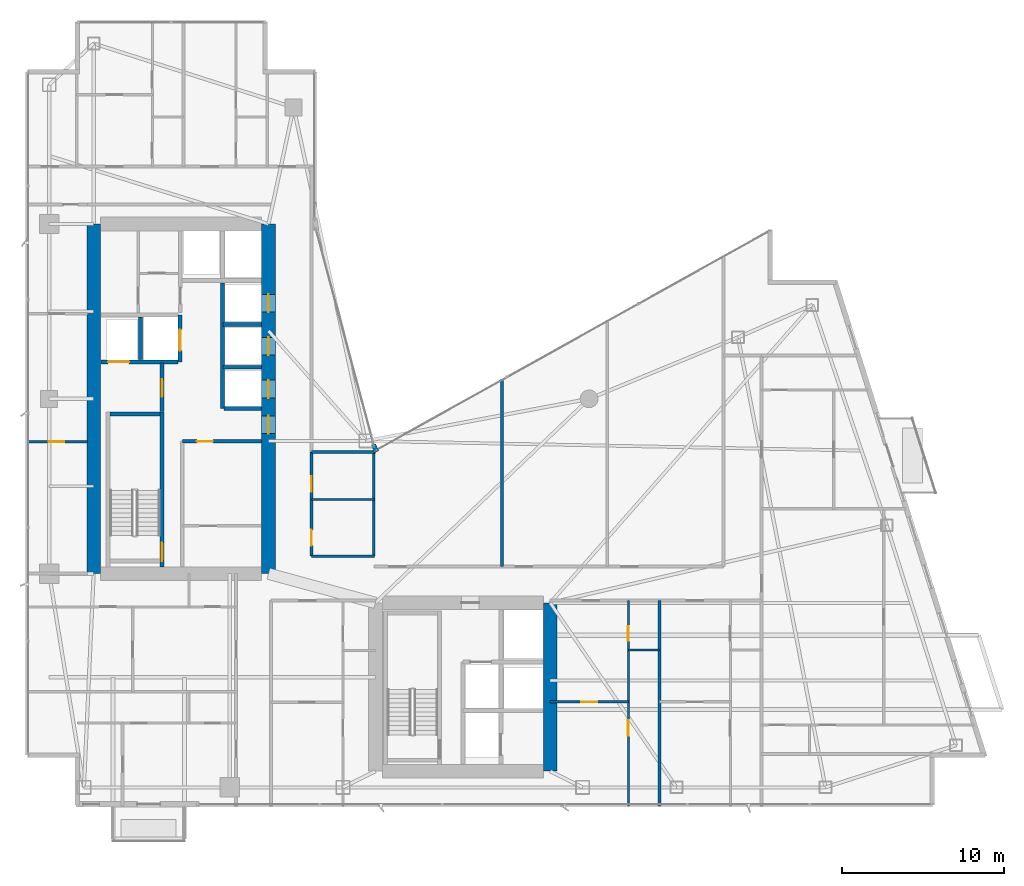
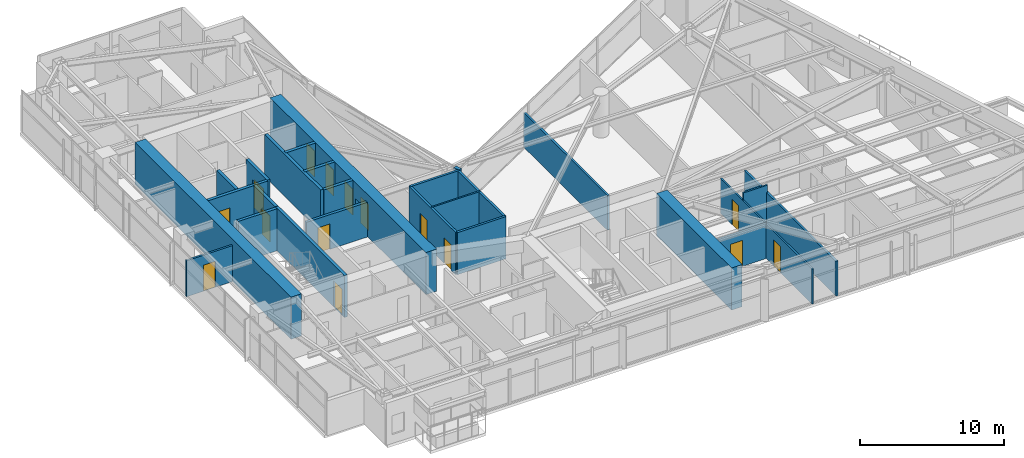
# One storey, part 23 of 29: 26 walls, 15 doors, 15 openings.
"""IFC4 building model written with IfcOpenShell, lengths in metres."""

from ifc_helpers import new_model, si_unit, direction, frame, frame_2d, origin, place, context, subcontext, project, spatial, rectangle, extrude, material, layer, layer_set, type_object, element, fill, save


model = new_model("IFC4")

# Units and contexts
model_context = context("Model", 3, precision=1e-05, world=origin(), true_north=direction((0.0, 1.0)))
body_context = subcontext(model_context, "Body", "Model", "MODEL_VIEW")
ifc_project = project(units=[si_unit("LENGTHUNIT", "METRE"), si_unit("AREAUNIT", "SQUARE_METRE"), si_unit("VOLUMEUNIT", "CUBIC_METRE"), si_unit("PLANEANGLEUNIT", "RADIAN"), si_unit("MASSUNIT", "GRAM", prefix="KILO")], contexts=[model_context])

# Site, building, storey
site_placement = place(None, origin())
site = spatial("IfcSite", under=ifc_project, at=site_placement, CompositionType="ELEMENT")
building_placement = place(site_placement, origin())
building = spatial("IfcBuilding", under=site, at=building_placement, Name="Calvorn Quay Hotel", CompositionType="ELEMENT")
storey_placement = place(building_placement, frame((0.0, 0.0, 163.699951171875)))
storey = spatial("IfcBuildingStorey", under=building, at=storey_placement, Name="L40", CompositionType="ELEMENT", Elevation=163.699951171875)

# Wall
ifc_material_1 = material(Name="Concrete C50", Category="concrete")
ifc_layer_1 = layer(ifc_material_1, 0.85009765625)
ifc_layer_set_1 = layer_set([ifc_layer_1], Name="WL-CORE-850")
wall_type_1 = type_object("IfcWallType", Name="WL-CORE-850", PredefinedType="SHEAR", material=ifc_layer_set_1)
wall_1_placement = place(storey_placement, frame((4.199951171875, 16.800048828125, 0.0), z_axis=(0.0, 0.0, 1.0), x_axis=(0.0, 1.0, 0.0)))
element("IfcWall", 1, at=wall_1_placement, inside=storey, type_object=wall_type_1, Name="West Core Shear Wall W (L40)", PredefinedType="SHEAR", context=body_context, shape_type="SweptSolid", body=[
    extrude(rectangle(XDim=21.599853515625, YDim=0.85009765625, at=frame_2d((10.7998046875, 0.0))), origin(), (0.0, 0.0, 1.0), 3.56005859375),
])

# Wall, openings, doors
wall_2_placement = place(storey_placement, frame((15.0, 16.800048828125, 0.0), z_axis=(0.0, 0.0, 1.0), x_axis=(0.0, 1.0, 0.0)))
wall_2 = element("IfcWall", 2, at=wall_2_placement, inside=storey, type_object=wall_type_1, Name="West Core Shear Wall E (L40)", PredefinedType="SHEAR", context=body_context, shape_type="SweptSolid", body=[
    extrude(rectangle(XDim=21.599853515625, YDim=0.85009765625, at=frame_2d((10.7998046875, 0.0))), origin(), (0.0, 0.0, 1.0), 3.56005859375),
])
opening_1_placement = place(wall_2_placement, frame((8.64990234375, 0.0, 0.0)))
opening_1 = element("IfcOpeningElement", 3, at=opening_1_placement, cuts=wall_2, Name="Opening D-L40-CW1", PredefinedType="OPENING", context=body_context, shape_type="SweptSolid", body=[
    extrude(rectangle(XDim=1.10009765625, YDim=2.199951171875, at=frame_2d((0.550048828125, 1.10009765625))), frame((0.0, 0.43505859375, 0.0), z_axis=(0.0, -1.0, 0.0), x_axis=(1.0, 0.0, 0.0)), (0.0, 0.0, 1.0), 0.8701171875),
])
opening_2_placement = place(wall_2_placement, frame((10.85009765625, 0.0, 0.0)))
opening_2 = element("IfcOpeningElement", 4, at=opening_2_placement, cuts=wall_2, Name="Opening LD-L40-M1", PredefinedType="OPENING", context=body_context, shape_type="SweptSolid", body=[
    extrude(rectangle(XDim=1.10009765625, YDim=2.199951171875, at=frame_2d((0.550048828125, 1.10009765625))), frame((0.0, 0.43505859375, 0.0), z_axis=(0.0, -1.0, 0.0), x_axis=(1.0, 0.0, 0.0)), (0.0, 0.0, 1.0), 0.8701171875),
])
opening_3_placement = place(wall_2_placement, frame((13.5, 0.0, 0.0)))
opening_3 = element("IfcOpeningElement", 5, at=opening_3_placement, cuts=wall_2, Name="Opening LD-L40-M2", PredefinedType="OPENING", context=body_context, shape_type="SweptSolid", body=[
    extrude(rectangle(XDim=1.10009765625, YDim=2.199951171875, at=frame_2d((0.550048828125, 1.10009765625))), frame((0.0, 0.43505859375, 0.0), z_axis=(0.0, -1.0, 0.0), x_axis=(1.0, 0.0, 0.0)), (0.0, 0.0, 1.0), 0.8701171875),
])
opening_4_placement = place(wall_2_placement, frame((16.14990234375, 0.0, 0.0)))
opening_4 = element("IfcOpeningElement", 6, at=opening_4_placement, cuts=wall_2, Name="Opening LD-L40-M3", PredefinedType="OPENING", context=body_context, shape_type="SweptSolid", body=[
    extrude(rectangle(XDim=1.10009765625, YDim=2.199951171875, at=frame_2d((0.550048828125, 1.10009765625))), frame((0.0, 0.43505859375, 0.0), z_axis=(0.0, -1.0, 0.0), x_axis=(1.0, 0.0, 0.0)), (0.0, 0.0, 1.0), 0.8701171875),
])
ifc_material_2 = material(Name="Smoke-Sealed Steel Class A Fire Door", Category="steel")
door_type_1 = type_object("IfcDoorType", Name="DR-FFLOBBY-1100", OperationType="NOTDEFINED", PredefinedType="DOOR", material=ifc_material_2)
door_1_placement = place(opening_1_placement, origin())
door_1 = element("IfcDoor", 7, at=door_1_placement, inside=storey, type_object=door_type_1, Name="West Core Vestibule Fire Door (L40)", OperationType="SINGLE_SWING_LEFT", OverallHeight=2.199951171875, OverallWidth=1.10009765625, PredefinedType="DOOR", context=body_context, shape_type="SweptSolid", body=[
    extrude(rectangle(XDim=1.10009765625, YDim=2.199951171875, at=frame_2d((0.550048828125, 1.10009765625))), frame((0.0, 0.02490234375, 0.0), z_axis=(0.0, -1.0, 0.0), x_axis=(1.0, 0.0, 0.0)), (0.0, 0.0, 1.0), 0.050048828125),
])
fill(opening_1, door_1)
ifc_material_3 = material(Name="Brushed Stainless Steel Sliding Lift Landing Door", Category="steel")
door_type_2 = type_object("IfcDoorType", Name="DR-LIFT-PASS-1100", OperationType="NOTDEFINED", PredefinedType="DOOR", material=ifc_material_3)
door_2_placement = place(opening_2_placement, origin())
door_2 = element("IfcDoor", 8, at=door_2_placement, inside=storey, type_object=door_type_2, Name="Mid-Rise Lift PL-M1 Landing Door (L40)", OperationType="DOUBLE_DOOR_SLIDING", OverallHeight=2.199951171875, OverallWidth=1.10009765625, PredefinedType="DOOR", context=body_context, shape_type="SweptSolid", body=[
    extrude(rectangle(XDim=1.10009765625, YDim=2.199951171875, at=frame_2d((0.550048828125, 1.10009765625))), frame((0.0, 0.02490234375, 0.0), z_axis=(0.0, -1.0, 0.0), x_axis=(1.0, 0.0, 0.0)), (0.0, 0.0, 1.0), 0.050048828125),
])
fill(opening_2, door_2)
door_3_placement = place(opening_3_placement, origin())
door_3 = element("IfcDoor", 9, at=door_3_placement, inside=storey, type_object=door_type_2, Name="Mid-Rise Lift PL-M2 Landing Door (L40)", OperationType="DOUBLE_DOOR_SLIDING", OverallHeight=2.199951171875, OverallWidth=1.10009765625, PredefinedType="DOOR", context=body_context, shape_type="SweptSolid", body=[
    extrude(rectangle(XDim=1.10009765625, YDim=2.199951171875, at=frame_2d((0.550048828125, 1.10009765625))), frame((0.0, 0.02490234375, 0.0), z_axis=(0.0, -1.0, 0.0), x_axis=(1.0, 0.0, 0.0)), (0.0, 0.0, 1.0), 0.050048828125),
])
fill(opening_3, door_3)
door_4_placement = place(opening_4_placement, origin())
door_4 = element("IfcDoor", 10, at=door_4_placement, inside=storey, type_object=door_type_2, Name="Mid-Rise Lift PL-M3 Landing Door (L40)", OperationType="DOUBLE_DOOR_SLIDING", OverallHeight=2.199951171875, OverallWidth=1.10009765625, PredefinedType="DOOR", context=body_context, shape_type="SweptSolid", body=[
    extrude(rectangle(XDim=1.10009765625, YDim=2.199951171875, at=frame_2d((0.550048828125, 1.10009765625))), frame((0.0, 0.02490234375, 0.0), z_axis=(0.0, -1.0, 0.0), x_axis=(1.0, 0.0, 0.0)), (0.0, 0.0, 1.0), 0.050048828125),
])
fill(opening_4, door_4)

# Walls
wall_3_placement = place(storey_placement, frame((32.39990234375, 4.60009765625, 0.0), z_axis=(0.0, 0.0, 1.0), x_axis=(0.0, 1.0, 0.0)))
element("IfcWall", 11, at=wall_3_placement, inside=storey, type_object=wall_type_1, Name="East Core Shear Wall E (L40)", PredefinedType="SHEAR", context=body_context, shape_type="SweptSolid", body=[
    extrude(rectangle(XDim=10.39990234375, YDim=0.85009765625, at=frame_2d((5.199951171875, 0.0))), origin(), (0.0, 0.0, 1.0), 3.56005859375),
])
ifc_material_4 = material(Name="Acoustic Fireboard Steel-Stud Partition", Category="steel")
ifc_layer_2 = layer(ifc_material_4, 0.179931640625)
ifc_layer_set_2 = layer_set([ifc_layer_2], Name="WL-CORR-FIRE-180")
wall_type_2 = type_object("IfcWallType", Name="WL-CORR-FIRE-180", PredefinedType="PARTITIONING", material=ifc_layer_set_2)
wall_4_placement = place(storey_placement, frame((17.64990234375, 17.8798828125, 0.0), z_axis=(0.0, 0.0, 1.0), x_axis=(1.0, 0.0, 0.0)))
element("IfcWall", 12, at=wall_4_placement, inside=storey, type_object=wall_type_2, Name="Partition Wall L40-WL-HK-S", PredefinedType="PARTITIONING", context=body_context, shape_type="SweptSolid", body=[
    extrude(rectangle(XDim=3.900146484375, YDim=0.179931640625, at=frame_2d((1.9501953125, 0.0))), origin(), (0.0, 0.0, 1.0), 3.56005859375),
])
wall_5_placement = place(storey_placement, frame((17.64990234375, 24.320068359375, 0.0), z_axis=(0.0, 0.0, 1.0), x_axis=(1.0, 0.0, 0.0)))
element("IfcWall", 13, at=wall_5_placement, inside=storey, type_object=wall_type_2, Name="Partition Wall L40-WL-HK-N", PredefinedType="PARTITIONING", context=body_context, shape_type="SweptSolid", body=[
    extrude(rectangle(XDim=3.9501953125, YDim=0.179931640625, at=frame_2d((1.97509765625, 0.0))), origin(), (0.0, 0.0, 1.0), 3.56005859375),
])
wall_6_placement = place(storey_placement, frame((21.5, 17.8798828125, 0.0), z_axis=(0.0, 0.0, 1.0), x_axis=(0.0, 1.0, 0.0)))
element("IfcWall", 14, at=wall_6_placement, inside=storey, type_object=wall_type_2, Name="Partition Wall L40-WL-HK-E", PredefinedType="PARTITIONING", context=body_context, shape_type="SweptSolid", body=[
    extrude(rectangle(XDim=6.440185546875, YDim=0.179931640625, at=frame_2d((3.22021484375, 0.0))), origin(), (0.0, 0.0, 1.0), 3.56005859375),
])

# Wall, openings, doors
wall_7_placement = place(storey_placement, frame((17.64990234375, 17.8798828125, 0.0), z_axis=(0.0, 0.0, 1.0), x_axis=(0.0, 1.0, 0.0)))
wall_7 = element("IfcWall", 15, at=wall_7_placement, inside=storey, type_object=wall_type_2, Name="Partition Wall L40-WL-HK-W", PredefinedType="PARTITIONING", context=body_context, shape_type="SweptSolid", body=[
    extrude(rectangle(XDim=6.440185546875, YDim=0.179931640625, at=frame_2d((3.22021484375, 0.0))), origin(), (0.0, 0.0, 1.0), 3.56005859375),
])
opening_5_placement = place(wall_7_placement, frame((0.64990234375, 0.0, 0.0)))
opening_5 = element("IfcOpeningElement", 16, at=opening_5_placement, cuts=wall_7, Name="Opening D-L40-HK", PredefinedType="OPENING", context=body_context, shape_type="SweptSolid", body=[
    extrude(rectangle(XDim=0.97998046875, YDim=2.14990234375, at=frame_2d((0.489990234375, 1.074951171875))), frame((0.0, 0.099853515625, 0.0), z_axis=(0.0, -1.0, 0.0), x_axis=(1.0, 0.0, 0.0)), (0.0, 0.0, 1.0), 0.199951171875),
])
opening_6_placement = place(wall_7_placement, frame((3.969970703125, 0.0, 0.0)))
opening_6 = element("IfcOpeningElement", 17, at=opening_6_placement, cuts=wall_7, Name="Opening D-L40-NCP", PredefinedType="OPENING", context=body_context, shape_type="SweptSolid", body=[
    extrude(rectangle(XDim=0.9599609375, YDim=2.199951171875, at=frame_2d((0.47998046875, 1.10009765625))), frame((0.0, 0.099853515625, 0.0), z_axis=(0.0, -1.0, 0.0), x_axis=(1.0, 0.0, 0.0)), (0.0, 0.0, 1.0), 0.199951171875),
])
ifc_material_5 = material(Name="Painted Steel Housekeeping/Riser Fire Door", Category="steel")
door_type_3 = type_object("IfcDoorType", Name="DR-SERVICE-980", OperationType="NOTDEFINED", PredefinedType="DOOR", material=ifc_material_5)
door_5_placement = place(opening_5_placement, origin())
door_5 = element("IfcDoor", 18, at=door_5_placement, inside=storey, type_object=door_type_3, Name="Floor Housekeeping Door (L40)", OperationType="SINGLE_SWING_LEFT", OverallHeight=2.14990234375, OverallWidth=0.97998046875, PredefinedType="DOOR", context=body_context, shape_type="SweptSolid", body=[
    extrude(rectangle(XDim=0.97998046875, YDim=2.14990234375, at=frame_2d((0.489990234375, 1.074951171875))), frame((0.0, 0.02490234375, 0.0), z_axis=(0.0, -1.0, 0.0), x_axis=(1.0, 0.0, 0.0)), (0.0, 0.0, 1.0), 0.050048828125),
])
fill(opening_5, door_5)
ifc_material_6 = material(Name="Solid Timber Internal Suite Door", Category="wood")
door_type_4 = type_object("IfcDoorType", Name="DR-SUITE-INT-960", OperationType="NOTDEFINED", PredefinedType="DOOR", material=ifc_material_6)
door_6_placement = place(opening_6_placement, origin())
door_6 = element("IfcDoor", 19, at=door_6_placement, inside=storey, type_object=door_type_4, Name="Reading Alcove Door (L40)", OperationType="SINGLE_SWING_RIGHT", OverallHeight=2.199951171875, OverallWidth=0.9599609375, PredefinedType="DOOR", context=body_context, shape_type="SweptSolid", body=[
    extrude(rectangle(XDim=0.9599609375, YDim=2.199951171875, at=frame_2d((0.47998046875, 1.10009765625))), frame((0.0, 0.02490234375, 0.0), z_axis=(0.0, -1.0, 0.0), x_axis=(1.0, 0.0, 0.0)), (0.0, 0.0, 1.0), 0.050048828125),
])
fill(opening_6, door_6)

# Walls
ifc_material_7 = material(Name="Moisture-Resistant Tile-Backed Partition")
ifc_layer_3 = layer(ifc_material_7, 0.125)
ifc_layer_set_3 = layer_set([ifc_layer_3], Name="WL-ENSUITE-125")
wall_type_3 = type_object("IfcWallType", Name="WL-ENSUITE-125", PredefinedType="PARTITIONING", material=ifc_layer_set_3)
wall_8_placement = place(storey_placement, frame((17.64990234375, 21.3798828125, 0.0), z_axis=(0.0, 0.0, 1.0), x_axis=(1.0, 0.0, 0.0)))
element("IfcWall", 20, at=wall_8_placement, inside=storey, type_object=wall_type_3, Name="Partition Wall L40-WL-HK-M", PredefinedType="PARTITIONING", context=body_context, shape_type="SweptSolid", body=[
    extrude(rectangle(XDim=3.900146484375, YDim=0.125, at=frame_2d((1.9501953125, 0.0))), origin(), (0.0, 0.0, 1.0), 3.56005859375),
])
wall_9_placement = place(storey_placement, frame((37.219970703125, 12.10009765625, 0.0), z_axis=(0.0, 0.0, 1.0), x_axis=(1.0, 0.0, 0.0)))
element("IfcWall", 21, at=wall_9_placement, inside=storey, type_object=wall_type_3, Name="Partition Wall L40-WL-U06-BDV", PredefinedType="PARTITIONING", context=body_context, shape_type="SweptSolid", body=[
    extrude(rectangle(XDim=1.929931640625, YDim=0.125, at=frame_2d((0.96484375, 0.0))), origin(), (0.0, 0.0, 1.0), 3.56005859375),
])

# Wall, openings, doors
wall_10_placement = place(storey_placement, frame((37.219970703125, 2.43994140625, 0.0), z_axis=(0.0, 0.0, 1.0), x_axis=(0.0, 1.0, 0.0)))
wall_10 = element("IfcWall", 22, at=wall_10_placement, inside=storey, type_object=wall_type_3, Name="Partition Wall L40-WL-U06-BV", PredefinedType="PARTITIONING", context=body_context, shape_type="SweptSolid", body=[
    extrude(rectangle(XDim=12.7099609375, YDim=0.125, at=frame_2d((6.35498046875, 0.0))), origin(), (0.0, 0.0, 1.0), 2.93994140625),
])
opening_7_placement = place(wall_10_placement, frame((4.35009765625, 0.0, 0.0)))
opening_7 = element("IfcOpeningElement", 23, at=opening_7_placement, cuts=wall_10, Name="Opening D-L40-S06", PredefinedType="OPENING", context=body_context, shape_type="SweptSolid", body=[
    extrude(rectangle(XDim=0.9599609375, YDim=2.199951171875, at=frame_2d((0.47998046875, 1.10009765625))), frame((0.0, 0.072509765625, 0.0), z_axis=(0.0, -1.0, 0.0), x_axis=(1.0, 0.0, 0.0)), (0.0, 0.0, 1.0), 0.14501953125),
])
opening_8_placement = place(wall_10_placement, frame((10.2099609375, 0.0, 0.0)))
opening_8 = element("IfcOpeningElement", 24, at=opening_8_placement, cuts=wall_10, Name="Opening D-L40-E06", PredefinedType="OPENING", context=body_context, shape_type="SweptSolid", body=[
    extrude(rectangle(XDim=0.89990234375, YDim=2.14990234375, at=frame_2d((0.449951171875, 1.074951171875))), frame((0.0, 0.072509765625, 0.0), z_axis=(0.0, -1.0, 0.0), x_axis=(1.0, 0.0, 0.0)), (0.0, 0.0, 1.0), 0.14501953125),
])
ifc_material_8 = material(Name="Moisture-Sealed Timber En-Suite Door", Category="wood")
door_type_5 = type_object("IfcDoorType", Name="DR-ENSUITE-900", OperationType="NOTDEFINED", PredefinedType="DOOR", material=ifc_material_8)
door_7_placement = place(opening_8_placement, origin())
door_7 = element("IfcDoor", 25, at=door_7_placement, inside=storey, type_object=door_type_5, Name="En-Suite Door 06", OperationType="SINGLE_SWING_RIGHT", OverallHeight=2.14990234375, OverallWidth=0.89990234375, PredefinedType="DOOR", context=body_context, shape_type="SweptSolid", body=[
    extrude(rectangle(XDim=0.89990234375, YDim=2.14990234375, at=frame_2d((0.449951171875, 1.074951171875))), frame((0.0, 0.02490234375, 0.0), z_axis=(0.0, -1.0, 0.0), x_axis=(1.0, 0.0, 0.0)), (0.0, 0.0, 1.0), 0.050048828125),
])
fill(opening_8, door_7)
door_8_placement = place(opening_7_placement, origin())
door_8 = element("IfcDoor", 26, at=door_8_placement, inside=storey, type_object=door_type_4, Name="Botanical Winter Garden Door 06", OperationType="SINGLE_SWING_LEFT", OverallHeight=2.199951171875, OverallWidth=0.9599609375, PredefinedType="DOOR", context=body_context, shape_type="SweptSolid", body=[
    extrude(rectangle(XDim=0.9599609375, YDim=2.199951171875, at=frame_2d((0.47998046875, 1.10009765625))), frame((0.0, 0.02490234375, 0.0), z_axis=(0.0, -1.0, 0.0), x_axis=(1.0, 0.0, 0.0)), (0.0, 0.0, 1.0), 0.050048828125),
])
fill(opening_7, door_8)

# Wall
ifc_material_9 = material(Name="Concrete C40", Category="concrete")
ifc_layer_4 = layer(ifc_material_9, 0.320068359375)
ifc_layer_set_4 = layer_set([ifc_layer_4], Name="WL-EXT-SPANDREL-320")
wall_type_4 = type_object("IfcWallType", Name="WL-EXT-SPANDREL-320", PredefinedType="SOLIDWALL", material=ifc_layer_set_4)
wall_11_placement = place(storey_placement, frame((21.679931640625, 24.340087890625, 0.0), z_axis=(0.0, 0.0, 1.0), x_axis=(-0.40758134973, 0.913168901875, 0.0)))
element("IfcWall", 27, at=wall_11_placement, inside=storey, type_object=wall_type_4, Name="Inner Court Corner Pier L40-ICJ1", PredefinedType="SOLIDWALL", context=body_context, shape_type="SweptSolid", body=[
    extrude(rectangle(XDim=0.470703125, YDim=0.280029296875, at=frame_2d((0.2353515625, 0.0))), origin(), (0.0, 0.0, 1.0), 3.56005859375),
])

# Wall, opening, door
ifc_material_10 = material(Name="Double-Stud Acoustic Gypsum Partition")
ifc_layer_5 = layer(ifc_material_10, 0.159912109375)
ifc_layer_set_5 = layer_set([ifc_layer_5], Name="WL-INTERSUITE-160")
wall_type_5 = type_object("IfcWallType", Name="WL-INTERSUITE-160", PredefinedType="PARTITIONING", material=ifc_layer_set_5)
wall_12_placement = place(storey_placement, frame((0.080078125, 24.949951171875, 0.0), z_axis=(0.0, 0.0, 1.0), x_axis=(1.0, 0.0, 0.0)))
wall_12 = element("IfcWall", 28, at=wall_12_placement, inside=storey, type_object=wall_type_5, Name="Partition Wall L40-WL-WBAY-DIVA", PredefinedType="PARTITIONING", context=body_context, shape_type="SweptSolid", body=[
    extrude(rectangle(XDim=3.724853515625, YDim=0.159912109375, at=frame_2d((1.8623046875, 0.0))), origin(), (0.0, 0.0, 1.0), 3.0400390625),
])
opening_9_placement = place(wall_12_placement, frame((1.35009765625, 0.0, 0.0)))
opening_9 = element("IfcOpeningElement", 29, at=opening_9_placement, cuts=wall_12, Name="Opening D-L40-WBA", PredefinedType="OPENING", context=body_context, shape_type="SweptSolid", body=[
    extrude(rectangle(XDim=0.9599609375, YDim=2.199951171875, at=frame_2d((0.47998046875, 1.10009765625))), frame((0.0, 0.08984375, 0.0), z_axis=(0.0, -1.0, 0.0), x_axis=(1.0, 0.0, 0.0)), (0.0, 0.0, 1.0), 0.179931640625),
])
door_9_placement = place(opening_9_placement, origin())
door_9 = element("IfcDoor", 30, at=door_9_placement, inside=storey, type_object=door_type_4, Name="West South Connecting Door (L40)", OperationType="SINGLE_SWING_LEFT", OverallHeight=2.199951171875, OverallWidth=0.9599609375, PredefinedType="DOOR", context=body_context, shape_type="SweptSolid", body=[
    extrude(rectangle(XDim=0.9599609375, YDim=2.199951171875, at=frame_2d((0.47998046875, 1.10009765625))), frame((0.0, 0.02490234375, 0.0), z_axis=(0.0, -1.0, 0.0), x_axis=(1.0, 0.0, 0.0)), (0.0, 0.0, 1.0), 0.050048828125),
])
fill(opening_9, door_9)

wall_13_placement = place(storey_placement, frame((32.39990234375, 8.8798828125, 0.0), z_axis=(0.0, 0.0, 1.0), x_axis=(1.0, 0.0, 0.0)))
wall_13 = element("IfcWall", 31, at=wall_13_placement, inside=storey, type_object=wall_type_5, Name="Partition Wall L40-WL-U06-MSP", PredefinedType="PARTITIONING", context=body_context, shape_type="SweptSolid", body=[
    extrude(rectangle(XDim=4.820068359375, YDim=0.159912109375, at=frame_2d((2.41015625, 0.0))), origin(), (0.0, 0.0, 1.0), 2.93994140625),
])
opening_10_placement = place(wall_13_placement, frame((1.929931640625, 0.0, 0.0)))
opening_10 = element("IfcOpeningElement", 32, at=opening_10_placement, cuts=wall_13, Name="Opening D-L40-M06", PredefinedType="OPENING", context=body_context, shape_type="SweptSolid", body=[
    extrude(rectangle(XDim=0.9599609375, YDim=2.199951171875, at=frame_2d((0.47998046875, 1.10009765625))), frame((0.0, 0.08984375, 0.0), z_axis=(0.0, -1.0, 0.0), x_axis=(1.0, 0.0, 0.0)), (0.0, 0.0, 1.0), 0.179931640625),
])
door_10_placement = place(opening_10_placement, origin())
door_10 = element("IfcDoor", 33, at=door_10_placement, inside=storey, type_object=door_type_4, Name="Suite Bedroom Door 06", OperationType="SINGLE_SWING_LEFT", OverallHeight=2.199951171875, OverallWidth=0.9599609375, PredefinedType="DOOR", context=body_context, shape_type="SweptSolid", body=[
    extrude(rectangle(XDim=0.9599609375, YDim=2.199951171875, at=frame_2d((0.47998046875, 1.10009765625))), frame((0.0, 0.02490234375, 0.0), z_axis=(0.0, -1.0, 0.0), x_axis=(1.0, 0.0, 0.0)), (0.0, 0.0, 1.0), 0.050048828125),
])
fill(opening_10, door_10)

# Walls
wall_14_placement = place(storey_placement, frame((39.14990234375, 2.43994140625, 0.0), z_axis=(0.0, 0.0, 1.0), x_axis=(0.0, 1.0, 0.0)))
element("IfcWall", 34, at=wall_14_placement, inside=storey, type_object=wall_type_5, Name="Partition Wall L40-WL-SE-DIV-1", PredefinedType="PARTITIONING", context=body_context, shape_type="SweptSolid", body=[
    extrude(rectangle(XDim=12.7099609375, YDim=0.159912109375, at=frame_2d((6.35498046875, 0.0))), origin(), (0.0, 0.0, 1.0), 2.93994140625),
])
wall_15_placement = place(storey_placement, frame((29.419921875, 17.25, 0.0), z_axis=(0.0, 0.0, 1.0), x_axis=(0.0, 1.0, 0.0)))
element("IfcWall", 35, at=wall_15_placement, inside=storey, type_object=wall_type_5, Name="Partition Wall L40-WL-NE-DIV-1", PredefinedType="PARTITIONING", context=body_context, shape_type="SweptSolid", body=[
    extrude(rectangle(XDim=11.590087890625, YDim=0.159912109375, at=frame_2d((5.794921875, 0.0))), origin(), (0.0, 0.0, 1.0), 2.93994140625),
])

# Wall, opening, door
ifc_material_11 = material(Name="Autoclaved Aerated Masonry Block", Category="masonry")
ifc_layer_6 = layer(ifc_material_11, 0.219970703125)
ifc_layer_set_6 = layer_set([ifc_layer_6], Name="WL-LOBBY-FIRE-220")
wall_type_6 = type_object("IfcWallType", Name="WL-LOBBY-FIRE-220", PredefinedType="SOLIDWALL", material=ifc_layer_set_6)
wall_16_placement = place(storey_placement, frame((9.679931640625, 24.969970703125, 0.0), z_axis=(0.0, 0.0, 1.0), x_axis=(1.0, 0.0, 0.0)))
wall_16 = element("IfcWall", 36, at=wall_16_placement, inside=storey, type_object=wall_type_6, Name="Partition Wall L40-WL-CWW-FR-N", PredefinedType="SOLIDWALL", context=body_context, shape_type="SweptSolid", body=[
    extrude(rectangle(XDim=4.875, YDim=0.219970703125, at=frame_2d((2.4375, 0.0))), origin(), (0.0, 0.0, 1.0), 2.93994140625),
])
opening_11_placement = place(wall_16_placement, frame((0.89990234375, 0.0, 0.0)))
opening_11 = element("IfcOpeningElement", 37, at=opening_11_placement, cuts=wall_16, Name="Opening D-L40-FRL2", PredefinedType="OPENING", context=body_context, shape_type="SweptSolid", body=[
    extrude(rectangle(XDim=0.97998046875, YDim=2.14990234375, at=frame_2d((0.489990234375, 1.074951171875))), frame((0.0, 0.119873046875, 0.0), z_axis=(0.0, -1.0, 0.0), x_axis=(1.0, 0.0, 0.0)), (0.0, 0.0, 1.0), 0.239990234375),
])
door_11_placement = place(opening_11_placement, origin())
door_11 = element("IfcDoor", 38, at=door_11_placement, inside=storey, type_object=door_type_3, Name="Beverage Pantry Door (L40)", OperationType="SINGLE_SWING_RIGHT", OverallHeight=2.14990234375, OverallWidth=0.97998046875, PredefinedType="DOOR", context=body_context, shape_type="SweptSolid", body=[
    extrude(rectangle(XDim=0.97998046875, YDim=2.14990234375, at=frame_2d((0.489990234375, 1.074951171875))), frame((0.0, 0.02490234375, 0.0), z_axis=(0.0, -1.0, 0.0), x_axis=(1.0, 0.0, 0.0)), (0.0, 0.0, 1.0), 0.050048828125),
])
fill(opening_11, door_11)

ifc_material_12 = material(Name="Concrete C40", Category="concrete")
ifc_layer_7 = layer(ifc_material_12, 0.239990234375)
ifc_layer_set_7 = layer_set([ifc_layer_7], Name="WL-SHAFT-240")
wall_type_7 = type_object("IfcWallType", Name="WL-SHAFT-240", PredefinedType="SOLIDWALL", material=ifc_layer_set_7)
wall_17_placement = place(storey_placement, frame((8.419921875, 17.22509765625, 0.0), z_axis=(0.0, 0.0, 1.0), x_axis=(0.0, 1.0, 0.0)))
wall_17 = element("IfcWall", 39, at=wall_17_placement, inside=storey, type_object=wall_type_7, Name="Stair STW Shaft Wall E (L40)", PredefinedType="SOLIDWALL", context=body_context, shape_type="SweptSolid", body=[
    extrude(rectangle(XDim=9.56494140625, YDim=0.239990234375, at=frame_2d((4.782470703125, 0.0))), origin(), (0.0, 0.0, 1.0), 3.56005859375),
])
opening_12_placement = place(wall_17_placement, frame((0.35009765625, 0.0, 0.0)))
opening_12 = element("IfcOpeningElement", 40, at=opening_12_placement, cuts=wall_17, Name="Opening D-L40-STW", PredefinedType="OPENING", context=body_context, shape_type="SweptSolid", body=[
    extrude(rectangle(XDim=1.14990234375, YDim=2.199951171875, at=frame_2d((0.574951171875, 1.10009765625))), frame((0.0, 0.1298828125, 0.0), z_axis=(0.0, -1.0, 0.0), x_axis=(1.0, 0.0, 0.0)), (0.0, 0.0, 1.0), 0.260009765625),
])
ifc_material_13 = material(Name="Galvanised Steel Class A Fire Door", Category="steel")
door_type_6 = type_object("IfcDoorType", Name="DR-STAIR-SMOKE-1150", OperationType="NOTDEFINED", PredefinedType="DOOR", material=ifc_material_13)
door_12_placement = place(opening_12_placement, origin())
door_12 = element("IfcDoor", 41, at=door_12_placement, inside=storey, type_object=door_type_6, Name="Stair ST-W Fire Door (L40)", OperationType="SINGLE_SWING_LEFT", OverallHeight=2.199951171875, OverallWidth=1.14990234375, PredefinedType="DOOR", context=body_context, shape_type="SweptSolid", body=[
    extrude(rectangle(XDim=1.14990234375, YDim=2.199951171875, at=frame_2d((0.574951171875, 1.10009765625))), frame((0.0, 0.02490234375, 0.0), z_axis=(0.0, -1.0, 0.0), x_axis=(1.0, 0.0, 0.0)), (0.0, 0.0, 1.0), 0.050048828125),
])
fill(opening_12, door_12)

# Walls
wall_18_placement = place(storey_placement, frame((5.199951171875, 26.669921875, 0.0), z_axis=(0.0, 0.0, 1.0), x_axis=(1.0, 0.0, 0.0)))
element("IfcWall", 42, at=wall_18_placement, inside=storey, type_object=wall_type_7, Name="Stair STW Shaft Wall N (L40)", PredefinedType="SOLIDWALL", context=body_context, shape_type="SweptSolid", body=[
    extrude(rectangle(XDim=3.10009765625, YDim=0.239990234375, at=frame_2d((1.550048828125, 0.0))), origin(), (0.0, 0.0, 1.0), 3.56005859375),
])
for number, where, z_axis, x_axis, name in (
    (43, (12.179931640625, 29.550048828125, 0.0), (0.0, 0.0, 1.0), (1.0, 0.0, 0.0), "Lift Hoistway Divider Wall PLM12 (L40)"),
    (44, (12.179931640625, 32.199951171875, 0.0), (0.0, 0.0, 1.0), (1.0, 0.0, 0.0), "Lift Hoistway Divider Wall PLM23 (L40)"),
):
    element("IfcWall", number, at=place(storey_placement, frame(where, z_axis=z_axis, x_axis=x_axis)), inside=storey, type_object=wall_type_7, Name=name, PredefinedType="SOLIDWALL", context=body_context, shape_type="SweptSolid", body=[
        extrude(rectangle(XDim=2.39501953125, YDim=0.239990234375, at=frame_2d((1.197509765625, 0.0))), origin(), (0.0, 0.0, 1.0), 3.56005859375),
    ])

# Wall, opening, door
wall_19_placement = place(storey_placement, frame((8.419921875, 26.820068359375, 0.0), z_axis=(0.0, 0.0, 1.0), x_axis=(0.0, 1.0, 0.0)))
wall_19 = element("IfcWall", 45, at=wall_19_placement, inside=storey, type_object=wall_type_7, Name="Partition Wall L40-WL-CWW-FFL-E", PredefinedType="SOLIDWALL", context=body_context, shape_type="SweptSolid", body=[
    extrude(rectangle(XDim=3.0, YDim=0.239990234375, at=frame_2d((1.5, 0.0))), origin(), (0.0, 0.0, 1.0), 3.56005859375),
])
opening_13_placement = place(wall_19_placement, frame((0.89990234375, 0.0, 0.0)))
opening_13 = element("IfcOpeningElement", 46, at=opening_13_placement, cuts=wall_19, Name="Opening D-L40-FLW", PredefinedType="OPENING", context=body_context, shape_type="SweptSolid", body=[
    extrude(rectangle(XDim=1.10009765625, YDim=2.199951171875, at=frame_2d((0.550048828125, 1.10009765625))), frame((0.0, 0.1298828125, 0.0), z_axis=(0.0, -1.0, 0.0), x_axis=(1.0, 0.0, 0.0)), (0.0, 0.0, 1.0), 0.260009765625),
])
door_13_placement = place(opening_13_placement, origin())
door_13 = element("IfcDoor", 47, at=door_13_placement, inside=storey, type_object=door_type_1, Name="West Firefighting Lobby Fire Door (L40)", OperationType="SINGLE_SWING_RIGHT", OverallHeight=2.199951171875, OverallWidth=1.10009765625, PredefinedType="DOOR", context=body_context, shape_type="SweptSolid", body=[
    extrude(rectangle(XDim=1.10009765625, YDim=2.199951171875, at=frame_2d((0.550048828125, 1.10009765625))), frame((0.0, 0.02490234375, 0.0), z_axis=(0.0, -1.0, 0.0), x_axis=(1.0, 0.0, 0.0)), (0.0, 0.0, 1.0), 0.050048828125),
])
fill(opening_13, door_13)

wall_20_placement = place(storey_placement, frame((4.64501953125, 29.8798828125, 0.0), z_axis=(0.0, 0.0, 1.0), x_axis=(1.0, 0.0, 0.0)))
wall_20 = element("IfcWall", 48, at=wall_20_placement, inside=storey, type_object=wall_type_7, Name="Partition Wall L40-WL-CWW-FLW-S", PredefinedType="SOLIDWALL", context=body_context, shape_type="SweptSolid", body=[
    extrude(rectangle(XDim=4.77490234375, YDim=0.239990234375, at=frame_2d((2.387451171875, 0.0))), origin(), (0.0, 0.0, 1.0), 3.56005859375),
])
opening_14_placement = place(wall_20_placement, frame((0.449951171875, 0.0, 0.0)))
opening_14 = element("IfcOpeningElement", 49, at=opening_14_placement, cuts=wall_20, Name="Opening LD-L40-FLW1", PredefinedType="OPENING", context=body_context, shape_type="SweptSolid", body=[
    extrude(rectangle(XDim=1.300048828125, YDim=2.35009765625, at=frame_2d((0.64990234375, 1.175048828125))), frame((0.0, 0.1298828125, 0.0), z_axis=(0.0, -1.0, 0.0), x_axis=(1.0, 0.0, 0.0)), (0.0, 0.0, 1.0), 0.260009765625),
])
ifc_material_14 = material(Name="Champagne-Bronze Sliding Express Lift Landing Door")
door_type_7 = type_object("IfcDoorType", Name="DR-LIFT-SHUTTLE-1300", OperationType="NOTDEFINED", PredefinedType="DOOR", material=ifc_material_14)
door_14_placement = place(opening_14_placement, origin())
door_14 = element("IfcDoor", 50, at=door_14_placement, inside=storey, type_object=door_type_7, Name="Firefighting Lift FL-W1 Landing Door (L40)", OperationType="DOUBLE_DOOR_SLIDING", OverallHeight=2.35009765625, OverallWidth=1.300048828125, PredefinedType="DOOR", context=body_context, shape_type="SweptSolid", body=[
    extrude(rectangle(XDim=1.300048828125, YDim=2.35009765625, at=frame_2d((0.64990234375, 1.175048828125))), frame((0.0, 0.02490234375, 0.0), z_axis=(0.0, -1.0, 0.0), x_axis=(1.0, 0.0, 0.0)), (0.0, 0.0, 1.0), 0.050048828125),
])
fill(opening_14, door_14)

# Wall
wall_21_placement = place(storey_placement, frame((7.10009765625, 30.02001953125, 0.0), z_axis=(0.0, 0.0, 1.0), x_axis=(0.0, 1.0, 0.0)))
element("IfcWall", 51, at=wall_21_placement, inside=storey, type_object=wall_type_7, Name="Partition Wall L40-WL-CWW-FLW-DIV", PredefinedType="SOLIDWALL", context=body_context, shape_type="SweptSolid", body=[
    extrude(rectangle(XDim=2.6298828125, YDim=0.239990234375, at=frame_2d((1.31494140625, 0.0))), origin(), (0.0, 0.0, 1.0), 3.56005859375),
])

# Wall, opening, door
wall_22_placement = place(storey_placement, frame((9.5400390625, 29.8798828125, 0.0), z_axis=(0.0, 0.0, 1.0), x_axis=(0.0, 1.0, 0.0)))
wall_22 = element("IfcWall", 52, at=wall_22_placement, inside=storey, type_object=wall_type_7, Name="Partition Wall L40-WL-CWW-SLW-E", PredefinedType="SOLIDWALL", context=body_context, shape_type="SweptSolid", body=[
    extrude(rectangle(XDim=2.900146484375, YDim=0.239990234375, at=frame_2d((1.4501953125, 0.0))), origin(), (0.0, 0.0, 1.0), 3.56005859375),
])
opening_15_placement = place(wall_22_placement, frame((0.699951171875, 0.0, 0.0)))
opening_15 = element("IfcOpeningElement", 53, at=opening_15_placement, cuts=wall_22, Name="Opening LD-L40-SLW1", PredefinedType="OPENING", context=body_context, shape_type="SweptSolid", body=[
    extrude(rectangle(XDim=1.300048828125, YDim=2.35009765625, at=frame_2d((0.64990234375, 1.175048828125))), frame((0.0, 0.1298828125, 0.0), z_axis=(0.0, -1.0, 0.0), x_axis=(1.0, 0.0, 0.0)), (0.0, 0.0, 1.0), 0.260009765625),
])
door_15_placement = place(opening_15_placement, origin())
door_15 = element("IfcDoor", 54, at=door_15_placement, inside=storey, type_object=door_type_7, Name="Service Lift SL-W1 Landing Door (L40)", OperationType="DOUBLE_DOOR_SLIDING", OverallHeight=2.35009765625, OverallWidth=1.300048828125, PredefinedType="DOOR", context=body_context, shape_type="SweptSolid", body=[
    extrude(rectangle(XDim=1.300048828125, YDim=2.35009765625, at=frame_2d((0.64990234375, 1.175048828125))), frame((0.0, 0.02490234375, 0.0), z_axis=(0.0, -1.0, 0.0), x_axis=(1.0, 0.0, 0.0)), (0.0, 0.0, 1.0), 0.050048828125),
])
fill(opening_15, door_15)

# Walls
wall_23_placement = place(storey_placement, frame((12.25, 27.0, 0.0), z_axis=(0.0, 0.0, 1.0), x_axis=(1.0, 0.0, 0.0)))
element("IfcWall", 55, at=wall_23_placement, inside=storey, type_object=wall_type_7, Name="Partition Wall L40-WL-CWW-PLM-S", PredefinedType="SOLIDWALL", context=body_context, shape_type="SweptSolid", body=[
    extrude(rectangle(XDim=2.304931640625, YDim=0.239990234375, at=frame_2d((1.15234375, 0.0))), origin(), (0.0, 0.0, 1.0), 3.56005859375),
])
wall_24_placement = place(storey_placement, frame((12.14990234375, 27.0, 0.0), z_axis=(0.0, 0.0, 1.0), x_axis=(0.0, 1.0, 0.0)))
element("IfcWall", 56, at=wall_24_placement, inside=storey, type_object=wall_type_7, Name="Partition Wall L40-WL-CWW-PLM-W", PredefinedType="SOLIDWALL", context=body_context, shape_type="SweptSolid", body=[
    extrude(rectangle(XDim=7.75, YDim=0.239990234375, at=frame_2d((3.875, 0.0))), origin(), (0.0, 0.0, 1.0), 3.56005859375),
])

save(model, "model.ifc")
